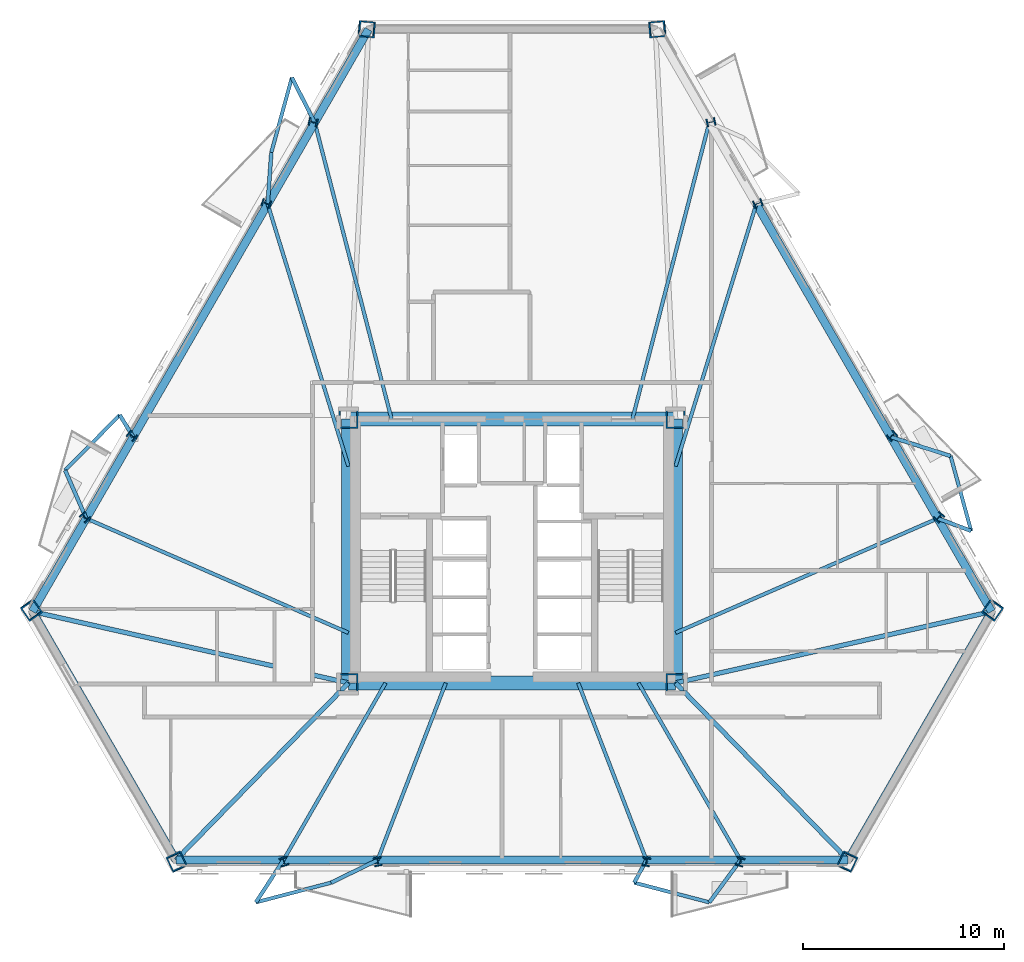
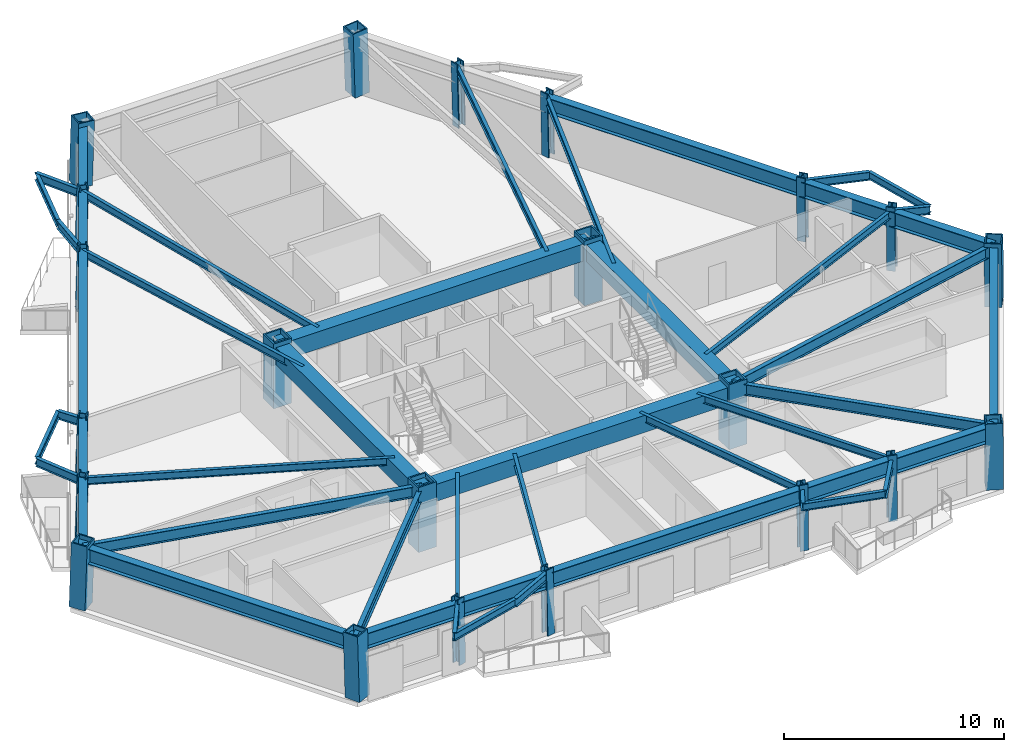
# One storey, part 1 of 10: 48 beams, 22 columns.
"""IFC4 building model written with IfcOpenShell, lengths in metres."""

from ifc_helpers import new_model, si_unit, direction, frame, origin, origin_2d, place, context, subcontext, project, spatial, rectangle, hollow_rectangle, i_section, extrude, material, material_profile, profile_set, type_object, element, save


model = new_model("IFC4")

# Units and contexts
model_context = context("Model", 3, precision=1e-05, world=origin(), true_north=direction((0.0, 1.0)))
body_context = subcontext(model_context, "Body", "Model", "MODEL_VIEW")
ifc_project = project(units=[si_unit("LENGTHUNIT", "METRE"), si_unit("AREAUNIT", "SQUARE_METRE"), si_unit("VOLUMEUNIT", "CUBIC_METRE"), si_unit("PLANEANGLEUNIT", "RADIAN"), si_unit("MASSUNIT", "GRAM", prefix="KILO")], contexts=[model_context])

# Site, building, storey
site_placement = place(None, origin())
site = spatial("IfcSite", under=ifc_project, at=site_placement, CompositionType="ELEMENT")
building_placement = place(site_placement, origin())
building = spatial("IfcBuilding", under=site, at=building_placement, Name="Oramaril Tower", CompositionType="ELEMENT")
storey_placement = place(building_placement, frame((0.0, 0.0, 52.5)))
storey = spatial("IfcBuildingStorey", under=building, at=storey_placement, Name="L13", CompositionType="ELEMENT", Elevation=52.5)

# Columns
ifc_material_1 = material(Name="Steel ASTM A572 Gr 50", Category="steel")
ifc_material_profile_1 = material_profile(ifc_material_1, hollow_rectangle(XDim=0.949951171875, YDim=0.949951171875, WallThickness=0.080078125, at=origin_2d()), Name="BOX950X950X80")
ifc_profile_set_1 = profile_set([ifc_material_profile_1], Name="Steel ASTM A572 Gr 50")
column_type_1 = type_object("IfcColumnType", Name="CT-CC2", PredefinedType="COLUMN", material=ifc_profile_set_1)
for number, where, z_axis, x_axis, name in (
    (1, (29.35009765625, 11.0, 0.0), (0.0, 0.0, 1.0), (1.0, 0.0, 0.0), "L13 Core Column CC-1"),
    (2, (45.64990234375, 11.0, 0.0), (0.0, 0.0, 1.0), (1.0, 0.0, 0.0), "L13 Core Column CC-2"),
    (3, (45.64990234375, 24.14990234375, 0.0), (0.0, 0.0, 1.0), (1.0, 0.0, 0.0), "L13 Core Column CC-3"),
    (4, (29.35009765625, 24.14990234375, 0.0), (0.0, 0.0, 1.0), (1.0, 0.0, 0.0), "L13 Core Column CC-4"),
):
    element("IfcColumn", number, at=place(storey_placement, frame(where, z_axis=z_axis, x_axis=x_axis)), inside=storey, type_object=column_type_1, Name=name, PredefinedType="COLUMN", context=body_context, shape_type="SweptSolid", body=[
        extrude(hollow_rectangle(XDim=0.949951171875, YDim=0.949951171875, WallThickness=0.080078125, at=origin_2d()), origin(), (0.0, 0.0, 1.0), 3.60009765625),
    ])
ifc_material_2 = material(Name="Steel ASTM A572 Gr 50", Category="steel")
ifc_material_profile_2 = material_profile(ifc_material_2, hollow_rectangle(XDim=0.800048828125, YDim=0.800048828125, WallThickness=0.06494140625, at=origin_2d()), Name="BOX800X800X65")
ifc_profile_set_2 = profile_set([ifc_material_profile_2], Name="Steel ASTM A572 Gr 50")
column_type_2 = type_object("IfcColumnType", Name="CT-TC3", PredefinedType="COLUMN", material=ifc_profile_set_2)
for number, where, z_axis, x_axis, name in (
    (5, (13.541748046875, 14.647705078125, 0.00439453125), (0.017328387348, -0.024803377969, 0.999542154906), (0.819759137879, 0.572708438792, 0.0), "L13 Tube Column TC-01"),
    (6, (20.799072265625, 2.07763671875, 0.00439453125), (-0.012775429371, 0.027453582266, 0.999541439474), (-0.906641267755, -0.421902372124, 0.0), "L13 Tube Column TC-02"),
    (7, (54.200927734375, 2.07763671875, 0.00439453125), (0.012775429371, 0.027453582266, 0.999541439474), (-0.906641267755, 0.421902372124, 0.0), "L13 Tube Column TC-03"),
    (8, (61.458251953125, 14.647705078125, 0.00439453125), (-0.017328387348, -0.024803377969, 0.999542154906), (0.819759137879, -0.572708438792, 0.0), "L13 Tube Column TC-04"),
    (9, (44.75732421875, 43.574462890625, 0.00439453125), (-0.030171757334, -0.00258226752, 0.999541393317), (0.085273844541, -0.996357552005, 0.0), "L13 Tube Column TC-05"),
    (10, (30.24267578125, 43.574462890625, 0.00439453125), (0.030171757334, -0.00258226752, 0.999541393317), (0.085273844541, 0.996357552005, 0.0), "L13 Tube Column TC-06"),
):
    element("IfcColumn", number, at=place(storey_placement, frame(where, z_axis=z_axis, x_axis=x_axis)), inside=storey, type_object=column_type_2, Name=name, PredefinedType="COLUMN", context=body_context, shape_type="SweptSolid", body=[
        extrude(hollow_rectangle(XDim=0.800048828125, YDim=0.800048828125, WallThickness=0.06494140625, at=origin_2d()), origin(), (0.0, 0.0, 1.0), 3.5927734375),
    ])
ifc_material_3 = material(Name="Steel ASTM A572 Gr 50", Category="steel")
ifc_material_profile_3 = material_profile(ifc_material_3, i_section(OverallWidth=0.410888671875, OverallDepth=0.43408203125, WebThickness=0.035888671875, FlangeThickness=0.057373046875, at=origin_2d()), Name="W14X311")
ifc_profile_set_3 = profile_set([ifc_material_profile_3], Name="Steel ASTM A572 Gr 50")
column_type_3 = type_object("IfcColumnType", Name="CT-TF2", PredefinedType="COLUMN", material=ifc_profile_set_3)
for number, where, z_axis, x_axis, name in (
    (11, (26.143310546875, 2.07763671875, 0.00439453125), (-0.008698545481, 0.027454784174, 0.999585199036), (-0.95329693993, -0.302034674037, 0.0), "L13 Tube Column TC-07"),
    (12, (30.819580078125, 2.07763671875, 0.00439453125), (-0.005096930621, 0.027455466276, 0.999610033298), (-0.983201216581, -0.182524978326, 0.0), "L13 Tube Column TC-08"),
    (13, (44.180419921875, 2.07763671875, 0.00439453125), (0.005096930621, 0.027455466276, 0.999610033298), (-0.983201216581, 0.182524978326, 0.0), "L13 Tube Column TC-09"),
    (14, (48.856689453125, 2.07763671875, 0.00439453125), (0.008698545481, 0.027454784174, 0.999585199036), (-0.95329693993, 0.302034674037, 0.0), "L13 Tube Column TC-10"),
    (15, (58.7861328125, 19.27587890625, 0.00439453125), (-0.019435833203, -0.021202727131, 0.999586260785), (0.737154140201, -0.675724628517, 0.0), "L13 Tube Column TC-11"),
    (16, (56.447998046875, 23.32568359375, 0.00439453125), (-0.021203241566, -0.018145081724, 0.999610513428), (0.650189539696, -0.759772046386, 0.0), "L13 Tube Column TC-12"),
    (17, (49.767578125, 34.896484375, 0.00439453125), (-0.026300196984, -0.009242446485, 0.999611362891), (0.331544641736, -0.943439531998, 0.0), "L13 Tube Column TC-13"),
    (18, (47.429443359375, 38.9462890625, 0.00439453125), (-0.028066449259, -0.006184132888, 0.99958693015), (0.215177531037, -0.976574948551, 0.0), "L13 Tube Column TC-14"),
    (19, (27.570556640625, 38.9462890625, 0.00439453125), (0.028066449259, -0.006184132888, 0.99958693015), (0.215177531037, 0.976574948551, 0.0), "L13 Tube Column TC-15"),
    (20, (25.232421875, 34.896484375, 0.00439453125), (0.026300196984, -0.009242446485, 0.999611362891), (0.331544641736, 0.943439531998, 0.0), "L13 Tube Column TC-16"),
    (21, (18.552001953125, 23.32568359375, 0.00439453125), (0.021203241566, -0.018145081724, 0.999610513428), (0.650189539696, 0.759772046386, 0.0), "L13 Tube Column TC-17"),
    (22, (16.2138671875, 19.27587890625, 0.00439453125), (0.019435833203, -0.021202727131, 0.999586260785), (0.737154140201, 0.675724628517, 0.0), "L13 Tube Column TC-18"),
):
    element("IfcColumn", number, at=place(storey_placement, frame(where, z_axis=z_axis, x_axis=x_axis)), inside=storey, type_object=column_type_3, Name=name, PredefinedType="COLUMN", context=body_context, shape_type="SweptSolid", body=[
        extrude(i_section(OverallWidth=0.410888671875, OverallDepth=0.43408203125, WebThickness=0.035888671875, FlangeThickness=0.057373046875, at=origin_2d()), origin(), (0.0, 0.0, 1.0), 3.592529296875),
    ])

# Beams
ifc_material_4 = material(Name="Steel ASTM A572 Gr 50", Category="steel")
ifc_material_profile_4 = material_profile(ifc_material_4, i_section(OverallWidth=0.19091796875, OverallDepth=0.45703125, WebThickness=0.009033203125, FlangeThickness=0.014404296875, at=origin_2d()), Name="W18X50")
ifc_profile_set_4 = profile_set([ifc_material_profile_4], Name="Steel ASTM A572 Gr 50")
beam_type_1 = type_object("IfcBeamType", Name="BT-BB1", PredefinedType="BEAM", material=ifc_profile_set_4)
beam_1_placement = place(storey_placement, frame((26.112060546875, 2.17626953125, 3.131591796875), z_axis=(-0.545346560473, -0.838210671001, 0.0), x_axis=(0.838210671001, -0.545346560473, 0.0)))
element("IfcBeam", 23, at=beam_1_placement, inside=storey, type_object=beam_type_1, Name="L13 Balcony Column-Framed Cantilever 01.1", PredefinedType="BEAM", context=body_context, shape_type="SweptSolid", body=[
    extrude(i_section(OverallWidth=0.19091796875, OverallDepth=0.45703125, WebThickness=0.009033203125, FlangeThickness=0.014404296875, at=origin_2d()), origin(), (0.0, 0.0, 1.0), 2.51513671875),
])
beam_2_placement = place(storey_placement, frame((30.80126953125, 2.17626953125, 3.131591796875), z_axis=(-0.899058728358, -0.437828051823, 0.0), x_axis=(0.437828051823, -0.899058728358, 0.0)))
element("IfcBeam", 24, at=beam_2_placement, inside=storey, type_object=beam_type_1, Name="L13 Balcony Column-Framed Cantilever 01.2", PredefinedType="BEAM", context=body_context, shape_type="SweptSolid", body=[
    extrude(i_section(OverallWidth=0.19091796875, OverallDepth=0.45703125, WebThickness=0.009033203125, FlangeThickness=0.014404296875, at=origin_2d()), origin(), (0.0, 0.0, 1.0), 2.57666015625),
])
beam_3_placement = place(storey_placement, frame((44.19873046875, 2.17626953125, 3.131591796875), z_axis=(-0.474508712115, -0.880250806377, 0.0), x_axis=(0.880250806377, -0.474508712115, 0.0)))
element("IfcBeam", 25, at=beam_3_placement, inside=storey, type_object=beam_type_1, Name="L13 Balcony Column-Framed Cantilever 02.1", PredefinedType="BEAM", context=body_context, shape_type="SweptSolid", body=[
    extrude(i_section(OverallWidth=0.19091796875, OverallDepth=0.45703125, WebThickness=0.009033203125, FlangeThickness=0.014404296875, at=origin_2d()), origin(), (0.0, 0.0, 1.0), 1.28173828125),
])
beam_4_placement = place(storey_placement, frame((48.887939453125, 2.17626953125, 3.131591796875), z_axis=(-0.593221299161, -0.805039433955, 0.0), x_axis=(0.805039433955, -0.593221299161, 0.0)))
element("IfcBeam", 26, at=beam_4_placement, inside=storey, type_object=beam_type_1, Name="L13 Balcony Column-Framed Cantilever 02.2", PredefinedType="BEAM", context=body_context, shape_type="SweptSolid", body=[
    extrude(i_section(OverallWidth=0.19091796875, OverallDepth=0.45703125, WebThickness=0.009033203125, FlangeThickness=0.014404296875, at=origin_2d()), origin(), (0.0, 0.0, 1.0), 2.61865234375),
])
beam_5_placement = place(storey_placement, frame((58.71630859375, 19.19970703125, 3.131591796875), z_axis=(0.936244414293, -0.351349394059, 0.0), x_axis=(0.351349394059, 0.936244414293, 0.0)))
element("IfcBeam", 27, at=beam_5_placement, inside=storey, type_object=beam_type_1, Name="L13 Balcony Column-Framed Cantilever 03.1", PredefinedType="BEAM", context=body_context, shape_type="SweptSolid", body=[
    extrude(i_section(OverallWidth=0.19091796875, OverallDepth=0.45703125, WebThickness=0.009033203125, FlangeThickness=0.014404296875, at=origin_2d()), origin(), (0.0, 0.0, 1.0), 1.776123046875),
])
beam_6_placement = place(storey_placement, frame((56.371826171875, 23.260498046875, 3.131591796875), z_axis=(0.952651044841, -0.30406576059, 0.0), x_axis=(0.30406576059, 0.952651044841, 0.0)))
element("IfcBeam", 28, at=beam_6_placement, inside=storey, type_object=beam_type_1, Name="L13 Balcony Column-Framed Cantilever 03.2", PredefinedType="BEAM", context=body_context, shape_type="SweptSolid", body=[
    extrude(i_section(OverallWidth=0.19091796875, OverallDepth=0.45703125, WebThickness=0.009033203125, FlangeThickness=0.014404296875, at=origin_2d()), origin(), (0.0, 0.0, 1.0), 3.132080078125),
])
beam_7_placement = place(storey_placement, frame((27.67138671875, 38.924072265625, 3.131591796875), z_axis=(-0.453144701767, 0.891436974363, 0.0), x_axis=(-0.891436974363, -0.453144701767, 0.0)))
element("IfcBeam", 29, at=beam_7_placement, inside=storey, type_object=beam_type_1, Name="L13 Balcony Column-Framed Cantilever 05.1", PredefinedType="BEAM", context=body_context, shape_type="SweptSolid", body=[
    extrude(i_section(OverallWidth=0.19091796875, OverallDepth=0.45703125, WebThickness=0.009033203125, FlangeThickness=0.014404296875, at=origin_2d()), origin(), (0.0, 0.0, 1.0), 2.514892578125),
])
beam_8_placement = place(storey_placement, frame((25.326904296875, 34.86328125, 3.131591796875), z_axis=(0.070398610601, 0.997518939983, 0.0), x_axis=(-0.997518939983, 0.070398610601, 0.0)))
element("IfcBeam", 30, at=beam_8_placement, inside=storey, type_object=beam_type_1, Name="L13 Balcony Column-Framed Cantilever 05.2", PredefinedType="BEAM", context=body_context, shape_type="SweptSolid", body=[
    extrude(i_section(OverallWidth=0.19091796875, OverallDepth=0.45703125, WebThickness=0.009033203125, FlangeThickness=0.014404296875, at=origin_2d()), origin(), (0.0, 0.0, 1.0), 2.57666015625),
])
beam_9_placement = place(storey_placement, frame((18.628173828125, 23.260498046875, 3.131591796875), z_axis=(-0.524989905381, 0.851108453282, 0.0), x_axis=(-0.851108453282, -0.524989905381, 0.0)))
element("IfcBeam", 31, at=beam_9_placement, inside=storey, type_object=beam_type_1, Name="L13 Balcony Column-Framed Cantilever 06.1", PredefinedType="BEAM", context=body_context, shape_type="SweptSolid", body=[
    extrude(i_section(OverallWidth=0.19091796875, OverallDepth=0.45703125, WebThickness=0.009033203125, FlangeThickness=0.014404296875, at=origin_2d()), origin(), (0.0, 0.0, 1.0), 1.28173828125),
])
beam_10_placement = place(storey_placement, frame((16.28369140625, 19.19970703125, 3.131591796875), z_axis=(-0.400637855404, 0.916236491752, 0.0), x_axis=(-0.916236491752, -0.400637855404, 0.0)))
element("IfcBeam", 32, at=beam_10_placement, inside=storey, type_object=beam_type_1, Name="L13 Balcony Column-Framed Cantilever 06.2", PredefinedType="BEAM", context=body_context, shape_type="SweptSolid", body=[
    extrude(i_section(OverallWidth=0.19091796875, OverallDepth=0.45703125, WebThickness=0.009033203125, FlangeThickness=0.014404296875, at=origin_2d()), origin(), (0.0, 0.0, 1.0), 2.618408203125),
])
ifc_material_5 = material(Name="Concrete C50/60", Category="concrete")
ifc_material_profile_5 = material_profile(ifc_material_5, rectangle(XDim=0.699951171875, YDim=0.949951171875, at=origin_2d()), Name="CB700X950")
ifc_profile_set_5 = profile_set([ifc_material_profile_5], Name="Concrete C50/60")
beam_type_2 = type_object("IfcBeamType", Name="BT-CB1", PredefinedType="BEAM", material=ifc_profile_set_5)
beam_11_placement = place(storey_placement, frame((29.35009765625, 11.0, 2.885009765625), z_axis=(1.0, 0.0, 0.0), x_axis=(0.0, 1.0, 0.0)))
element("IfcBeam", 33, at=beam_11_placement, inside=storey, type_object=beam_type_2, Name="L13 Core Header Beam CB-1", PredefinedType="BEAM", context=body_context, shape_type="SweptSolid", body=[
    extrude(rectangle(XDim=0.699951171875, YDim=0.949951171875, at=origin_2d()), origin(), (0.0, 0.0, 1.0), 16.2998046875),
])
beam_12_placement = place(storey_placement, frame((45.64990234375, 11.0, 2.885009765625), z_axis=(0.0, 1.0, 0.0), x_axis=(-1.0, 0.0, 0.0)))
element("IfcBeam", 34, at=beam_12_placement, inside=storey, type_object=beam_type_2, Name="L13 Core Header Beam CB-2", PredefinedType="BEAM", context=body_context, shape_type="SweptSolid", body=[
    extrude(rectangle(XDim=0.699951171875, YDim=0.949951171875, at=origin_2d()), origin(), (0.0, 0.0, 1.0), 13.14990234375),
])
beam_13_placement = place(storey_placement, frame((45.64990234375, 24.14990234375, 2.885009765625), z_axis=(-1.0, 0.0, 0.0), x_axis=(0.0, -1.0, 0.0)))
element("IfcBeam", 35, at=beam_13_placement, inside=storey, type_object=beam_type_2, Name="L13 Core Header Beam CB-3", PredefinedType="BEAM", context=body_context, shape_type="SweptSolid", body=[
    extrude(rectangle(XDim=0.699951171875, YDim=0.949951171875, at=origin_2d()), origin(), (0.0, 0.0, 1.0), 16.2998046875),
])
beam_14_placement = place(storey_placement, frame((29.35009765625, 24.14990234375, 2.885009765625), z_axis=(0.0, -1.0, 0.0), x_axis=(1.0, 0.0, 0.0)))
element("IfcBeam", 36, at=beam_14_placement, inside=storey, type_object=beam_type_2, Name="L13 Core Header Beam CB-4", PredefinedType="BEAM", context=body_context, shape_type="SweptSolid", body=[
    extrude(rectangle(XDim=0.699951171875, YDim=0.949951171875, at=origin_2d()), origin(), (0.0, 0.0, 1.0), 13.14990234375),
])
ifc_material_6 = material(Name="Steel ASTM A572 Gr 50", Category="steel")
ifc_material_profile_6 = material_profile(ifc_material_6, i_section(OverallWidth=0.22900390625, OverallDepth=0.612060546875, WebThickness=0.011962890625, FlangeThickness=0.01953125, at=origin_2d()), Name="W24X84")
ifc_profile_set_6 = profile_set([ifc_material_profile_6], Name="Steel ASTM A572 Gr 50")
beam_type_3 = type_object("IfcBeamType", Name="BT-FB1", PredefinedType="BEAM", material=ifc_profile_set_6)
beam_15_placement = place(storey_placement, frame((29.35009765625, 11.0, 3.053955078125), z_axis=(-0.975400736495, 0.220439114599, 0.0), x_axis=(-0.220439114599, -0.975400736495, 0.0)))
element("IfcBeam", 37, at=beam_15_placement, inside=storey, type_object=beam_type_3, Name="L13 Radial Primary Beam RB-01", PredefinedType="BEAM", context=body_context, shape_type="SweptSolid", body=[
    extrude(i_section(OverallWidth=0.22900390625, OverallDepth=0.612060546875, WebThickness=0.011962890625, FlangeThickness=0.01953125, at=origin_2d()), origin(), (0.0, 0.0, 1.0), 16.143310546875),
])
for number, where, z_axis, x_axis, name in (
    (38, (29.35009765625, 11.0, 3.053955078125), (-0.697841526773, -0.716252192674, 0.0), (0.716252192674, -0.697841526773, 0.0), "L13 Radial Primary Beam RB-02"),
    (39, (45.64990234375, 11.0, 3.053955078125), (0.697841526773, -0.716252192674, 0.0), (0.716252192674, 0.697841526773, 0.0), "L13 Radial Primary Beam RB-03"),
):
    element("IfcBeam", number, at=place(storey_placement, frame(where, z_axis=z_axis, x_axis=x_axis)), inside=storey, type_object=beam_type_3, Name=name, PredefinedType="BEAM", context=body_context, shape_type="SweptSolid", body=[
        extrude(i_section(OverallWidth=0.22900390625, OverallDepth=0.612060546875, WebThickness=0.011962890625, FlangeThickness=0.01953125, at=origin_2d()), origin(), (0.0, 0.0, 1.0), 12.3193359375),
    ])
beam_16_placement = place(storey_placement, frame((45.64990234375, 11.0, 3.053955078125), z_axis=(0.975400736495, 0.220439114599, 0.0), x_axis=(-0.220439114599, 0.975400736495, 0.0)))
element("IfcBeam", 40, at=beam_16_placement, inside=storey, type_object=beam_type_3, Name="L13 Radial Primary Beam RB-04", PredefinedType="BEAM", context=body_context, shape_type="SweptSolid", body=[
    extrude(i_section(OverallWidth=0.22900390625, OverallDepth=0.612060546875, WebThickness=0.011962890625, FlangeThickness=0.01953125, at=origin_2d()), origin(), (0.0, 0.0, 1.0), 16.143310546875),
])
ifc_material_7 = material(Name="Steel ASTM A572 Gr 50", Category="steel")
ifc_material_profile_7 = material_profile(ifc_material_7, i_section(OverallWidth=0.177978515625, OverallDepth=0.404052734375, WebThickness=0.007568359375, FlangeThickness=0.010986328125, at=origin_2d()), Name="W16X36")
ifc_profile_set_7 = profile_set([ifc_material_profile_7], Name="Steel ASTM A572 Gr 50")
beam_type_4 = type_object("IfcBeamType", Name="BT-SB1", PredefinedType="BEAM", material=ifc_profile_set_7)
beam_17_placement = place(storey_placement, frame((31.199951171875, 11.0, 3.157958984375), z_axis=(-0.499521852836, -0.866301286239, 0.0), x_axis=(0.866301286239, -0.499521852836, 0.0)))
element("IfcBeam", 41, at=beam_17_placement, inside=storey, type_object=beam_type_4, Name="L13 Secondary Floor Beam SB-01", PredefinedType="BEAM", context=body_context, shape_type="SweptSolid", body=[
    extrude(i_section(OverallWidth=0.177978515625, OverallDepth=0.404052734375, WebThickness=0.007568359375, FlangeThickness=0.010986328125, at=origin_2d()), origin(), (0.0, 0.0, 1.0), 10.185546875),
])
for number, where, z_axis, x_axis, name in (
    (42, (34.199951171875, 11.0, 3.157958984375), (-0.359434073091, -0.933170481263, 0.0), (0.933170481263, -0.359434073091, 0.0), "L13 Secondary Floor Beam SB-02"),
    (43, (40.800048828125, 11.0, 3.157958984375), (0.359434073091, -0.933170481263, 0.0), (0.933170481263, 0.359434073091, 0.0), "L13 Secondary Floor Beam SB-03"),
):
    element("IfcBeam", number, at=place(storey_placement, frame(where, z_axis=z_axis, x_axis=x_axis)), inside=storey, type_object=beam_type_4, Name=name, PredefinedType="BEAM", context=body_context, shape_type="SweptSolid", body=[
        extrude(i_section(OverallWidth=0.177978515625, OverallDepth=0.404052734375, WebThickness=0.007568359375, FlangeThickness=0.010986328125, at=origin_2d()), origin(), (0.0, 0.0, 1.0), 9.45556640625),
    ])
beam_18_placement = place(storey_placement, frame((43.800048828125, 11.0, 3.157958984375), z_axis=(0.499521852836, -0.866301286239, 0.0), x_axis=(0.866301286239, 0.499521852836, 0.0)))
element("IfcBeam", 44, at=beam_18_placement, inside=storey, type_object=beam_type_4, Name="L13 Secondary Floor Beam SB-04", PredefinedType="BEAM", context=body_context, shape_type="SweptSolid", body=[
    extrude(i_section(OverallWidth=0.177978515625, OverallDepth=0.404052734375, WebThickness=0.007568359375, FlangeThickness=0.010986328125, at=origin_2d()), origin(), (0.0, 0.0, 1.0), 10.185546875),
])
beam_19_placement = place(storey_placement, frame((45.64990234375, 13.5, 3.157958984375), z_axis=(0.916590734948, 0.399826743238, 0.0), x_axis=(-0.399826743238, 0.916590734948, 0.0)))
element("IfcBeam", 45, at=beam_19_placement, inside=storey, type_object=beam_type_4, Name="L13 Secondary Floor Beam SB-05", PredefinedType="BEAM", context=body_context, shape_type="SweptSolid", body=[
    extrude(i_section(OverallWidth=0.177978515625, OverallDepth=0.404052734375, WebThickness=0.007568359375, FlangeThickness=0.010986328125, at=origin_2d()), origin(), (0.0, 0.0, 1.0), 14.25537109375),
])
beam_20_placement = place(storey_placement, frame((45.64990234375, 21.800048828125, 3.157958984375), z_axis=(0.294335606712, 0.95570212442, 0.0), x_axis=(-0.95570212442, 0.294335606712, 0.0)))
element("IfcBeam", 46, at=beam_20_placement, inside=storey, type_object=beam_type_4, Name="L13 Secondary Floor Beam SB-06", PredefinedType="BEAM", context=body_context, shape_type="SweptSolid", body=[
    extrude(i_section(OverallWidth=0.177978515625, OverallDepth=0.404052734375, WebThickness=0.007568359375, FlangeThickness=0.010986328125, at=origin_2d()), origin(), (0.0, 0.0, 1.0), 13.668701171875),
])
for number, where, z_axis, x_axis, name in (
    (47, (43.5, 24.14990234375, 3.157958984375), (0.250856124341, 0.968024382379, 0.0), (-0.968024382379, 0.250856124341, 0.0), "L13 Secondary Floor Beam SB-07"),
    (48, (31.5, 24.14990234375, 3.157958984375), (-0.250856124341, 0.968024382379, 0.0), (-0.968024382379, -0.250856124341, 0.0), "L13 Secondary Floor Beam SB-08"),
):
    element("IfcBeam", number, at=place(storey_placement, frame(where, z_axis=z_axis, x_axis=x_axis)), inside=storey, type_object=beam_type_4, Name=name, PredefinedType="BEAM", context=body_context, shape_type="SweptSolid", body=[
        extrude(i_section(OverallWidth=0.177978515625, OverallDepth=0.404052734375, WebThickness=0.007568359375, FlangeThickness=0.010986328125, at=origin_2d()), origin(), (0.0, 0.0, 1.0), 15.26220703125),
    ])
beam_21_placement = place(storey_placement, frame((29.35009765625, 21.800048828125, 3.157958984375), z_axis=(-0.294335606712, 0.95570212442, 0.0), x_axis=(-0.95570212442, -0.294335606712, 0.0)))
element("IfcBeam", 49, at=beam_21_placement, inside=storey, type_object=beam_type_4, Name="L13 Secondary Floor Beam SB-09", PredefinedType="BEAM", context=body_context, shape_type="SweptSolid", body=[
    extrude(i_section(OverallWidth=0.177978515625, OverallDepth=0.404052734375, WebThickness=0.007568359375, FlangeThickness=0.010986328125, at=origin_2d()), origin(), (0.0, 0.0, 1.0), 13.668701171875),
])
beam_22_placement = place(storey_placement, frame((29.35009765625, 13.5, 3.157958984375), z_axis=(-0.916590734948, 0.399826743238, 0.0), x_axis=(-0.399826743238, -0.916590734948, 0.0)))
element("IfcBeam", 50, at=beam_22_placement, inside=storey, type_object=beam_type_4, Name="L13 Secondary Floor Beam SB-10", PredefinedType="BEAM", context=body_context, shape_type="SweptSolid", body=[
    extrude(i_section(OverallWidth=0.177978515625, OverallDepth=0.404052734375, WebThickness=0.007568359375, FlangeThickness=0.010986328125, at=origin_2d()), origin(), (0.0, 0.0, 1.0), 14.25537109375),
])
beam_23_placement = place(storey_placement, frame((24.740478515625, 0.068115234375, 3.157958984375), z_axis=(0.967411967632, 0.253207592467, 0.0), x_axis=(-0.253207592467, 0.967411967632, 0.0)))
element("IfcBeam", 51, at=beam_23_placement, inside=storey, type_object=beam_type_4, Name="L13 Balcony Edge Tie Beam 01", PredefinedType="BEAM", context=body_context, shape_type="SweptSolid", body=[
    extrude(i_section(OverallWidth=0.177978515625, OverallDepth=0.404052734375, WebThickness=0.007568359375, FlangeThickness=0.010986328125, at=origin_2d()), origin(), (0.0, 0.0, 1.0), 3.870361328125),
])
for number, where, z_axis, x_axis, name in (
    (52, (43.590576171875, 1.048095703125, 3.157958984375), (0.967407922874, -0.253223045479, 0.0), (0.253223045479, 0.967407922874, 0.0), "L13 Balcony Edge Tie Beam 02"),
    (53, (60.379150390625, 18.57568359375, 3.157958984375), (-0.264440915482, 0.964401888332, 0.0), (-0.964401888332, -0.264440915482, 0.0), "L13 Balcony Edge Tie Beam 03"),
    (54, (26.53173828125, 41.166015625, 3.157958984375), (-0.264440915482, -0.964401888332, 0.0), (0.964401888332, -0.264440915482, 0.0), "L13 Balcony Edge Tie Beam 05"),
    (55, (17.955322265625, 24.351318359375, 3.157958984375), (-0.702994511648, -0.71119527318, 0.0), (0.71119527318, -0.702994511648, 0.0), "L13 Balcony Edge Tie Beam 06"),
):
    element("IfcBeam", number, at=place(storey_placement, frame(where, z_axis=z_axis, x_axis=x_axis)), inside=storey, type_object=beam_type_4, Name=name, PredefinedType="BEAM", context=body_context, shape_type="SweptSolid", body=[
        extrude(i_section(OverallWidth=0.177978515625, OverallDepth=0.404052734375, WebThickness=0.007568359375, FlangeThickness=0.010986328125, at=origin_2d()), origin(), (0.0, 0.0, 1.0), 3.8701171875),
    ])
ifc_material_8 = material(Name="Steel ASTM A572 Gr 50", Category="steel")
ifc_material_profile_8 = material_profile(ifc_material_8, i_section(OverallWidth=0.40087890625, OverallDepth=0.85595703125, WebThickness=0.018310546875, FlangeThickness=0.029296875, at=origin_2d()), Name="W33X201")
ifc_profile_set_8 = profile_set([ifc_material_profile_8], Name="Steel ASTM A572 Gr 50")
beam_type_5 = type_object("IfcBeamType", Name="BT-SP1", PredefinedType="SPANDREL", material=ifc_profile_set_8)
beam_24_placement = place(storey_placement, frame((13.60400390625, 14.55859375, 2.931884765625), z_axis=(0.500012153807, -0.866018386667, 0.0), x_axis=(0.866018386667, 0.500012153807, 0.0)))
element("IfcBeam", 56, at=beam_24_placement, inside=storey, type_object=beam_type_5, Name="L13 Perimeter Spandrel 01", PredefinedType="SPANDREL", context=body_context, shape_type="SweptSolid", body=[
    extrude(i_section(OverallWidth=0.40087890625, OverallDepth=0.85595703125, WebThickness=0.018310546875, FlangeThickness=0.029296875, at=origin_2d()), origin(), (0.0, 0.0, 1.0), 14.298095703125),
])
beam_25_placement = place(storey_placement, frame((20.753173828125, 2.17626953125, 2.931884765625), z_axis=(1.0, 0.0, 0.0), x_axis=(0.0, 1.0, 0.0)))
element("IfcBeam", 57, at=beam_25_placement, inside=storey, type_object=beam_type_5, Name="L13 Perimeter Spandrel 02", PredefinedType="SPANDREL", context=body_context, shape_type="SweptSolid", body=[
    extrude(i_section(OverallWidth=0.40087890625, OverallDepth=0.85595703125, WebThickness=0.018310546875, FlangeThickness=0.029296875, at=origin_2d()), origin(), (0.0, 0.0, 1.0), 5.35888671875),
])
beam_26_placement = place(storey_placement, frame((26.112060546875, 2.17626953125, 2.931884765625), z_axis=(1.0, 0.0, 0.0), x_axis=(0.0, 1.0, 0.0)))
element("IfcBeam", 58, at=beam_26_placement, inside=storey, type_object=beam_type_5, Name="L13 Perimeter Spandrel 03", PredefinedType="SPANDREL", context=body_context, shape_type="SweptSolid", body=[
    extrude(i_section(OverallWidth=0.40087890625, OverallDepth=0.85595703125, WebThickness=0.018310546875, FlangeThickness=0.029296875, at=origin_2d()), origin(), (0.0, 0.0, 1.0), 4.689208984375),
])
beam_27_placement = place(storey_placement, frame((30.80126953125, 2.17626953125, 2.931884765625), z_axis=(1.0, 0.0, 0.0), x_axis=(0.0, 1.0, 0.0)))
element("IfcBeam", 59, at=beam_27_placement, inside=storey, type_object=beam_type_5, Name="L13 Perimeter Spandrel 04", PredefinedType="SPANDREL", context=body_context, shape_type="SweptSolid", body=[
    extrude(i_section(OverallWidth=0.40087890625, OverallDepth=0.85595703125, WebThickness=0.018310546875, FlangeThickness=0.029296875, at=origin_2d()), origin(), (0.0, 0.0, 1.0), 13.3974609375),
])
beam_28_placement = place(storey_placement, frame((44.19873046875, 2.17626953125, 2.931884765625), z_axis=(1.0, 0.0, 0.0), x_axis=(0.0, 1.0, 0.0)))
element("IfcBeam", 60, at=beam_28_placement, inside=storey, type_object=beam_type_5, Name="L13 Perimeter Spandrel 05", PredefinedType="SPANDREL", context=body_context, shape_type="SweptSolid", body=[
    extrude(i_section(OverallWidth=0.40087890625, OverallDepth=0.85595703125, WebThickness=0.018310546875, FlangeThickness=0.029296875, at=origin_2d()), origin(), (0.0, 0.0, 1.0), 4.689208984375),
])
beam_29_placement = place(storey_placement, frame((48.887939453125, 2.17626953125, 2.931884765625), z_axis=(1.0, 0.0, 0.0), x_axis=(0.0, 1.0, 0.0)))
element("IfcBeam", 61, at=beam_29_placement, inside=storey, type_object=beam_type_5, Name="L13 Perimeter Spandrel 06", PredefinedType="SPANDREL", context=body_context, shape_type="SweptSolid", body=[
    extrude(i_section(OverallWidth=0.40087890625, OverallDepth=0.85595703125, WebThickness=0.018310546875, FlangeThickness=0.029296875, at=origin_2d()), origin(), (0.0, 0.0, 1.0), 5.35888671875),
])
beam_30_placement = place(storey_placement, frame((54.246826171875, 2.17626953125, 2.931884765625), z_axis=(0.500012153807, 0.866018386667, 0.0), x_axis=(-0.866018386667, 0.500012153807, 0.0)))
element("IfcBeam", 62, at=beam_30_placement, inside=storey, type_object=beam_type_5, Name="L13 Perimeter Spandrel 07", PredefinedType="SPANDREL", context=body_context, shape_type="SweptSolid", body=[
    extrude(i_section(OverallWidth=0.40087890625, OverallDepth=0.85595703125, WebThickness=0.018310546875, FlangeThickness=0.029296875, at=origin_2d()), origin(), (0.0, 0.0, 1.0), 14.298095703125),
])
beam_31_placement = place(storey_placement, frame((61.39599609375, 14.55859375, 2.931884765625), z_axis=(-0.500019522183, 0.866014132353, 0.0), x_axis=(-0.866014132353, -0.500019522183, 0.0)))
element("IfcBeam", 63, at=beam_31_placement, inside=storey, type_object=beam_type_5, Name="L13 Perimeter Spandrel 08", PredefinedType="SPANDREL", context=body_context, shape_type="SweptSolid", body=[
    extrude(i_section(OverallWidth=0.40087890625, OverallDepth=0.85595703125, WebThickness=0.018310546875, FlangeThickness=0.029296875, at=origin_2d()), origin(), (0.0, 0.0, 1.0), 5.359130859375),
])
beam_32_placement = place(storey_placement, frame((58.71630859375, 19.19970703125, 2.931884765625), z_axis=(-0.49999738257, 0.866026914953, 0.0), x_axis=(-0.866026914953, -0.49999738257, 0.0)))
element("IfcBeam", 64, at=beam_32_placement, inside=storey, type_object=beam_type_5, Name="L13 Perimeter Spandrel 09", PredefinedType="SPANDREL", context=body_context, shape_type="SweptSolid", body=[
    extrude(i_section(OverallWidth=0.40087890625, OverallDepth=0.85595703125, WebThickness=0.018310546875, FlangeThickness=0.029296875, at=origin_2d()), origin(), (0.0, 0.0, 1.0), 4.68896484375),
])
beam_33_placement = place(storey_placement, frame((56.371826171875, 23.260498046875, 2.931884765625), z_axis=(-0.499992188719, 0.866029913583, 0.0), x_axis=(-0.866029913583, -0.499992188719, 0.0)))
element("IfcBeam", 65, at=beam_33_placement, inside=storey, type_object=beam_type_5, Name="L13 Perimeter Spandrel 10", PredefinedType="SPANDREL", context=body_context, shape_type="SweptSolid", body=[
    extrude(i_section(OverallWidth=0.40087890625, OverallDepth=0.85595703125, WebThickness=0.018310546875, FlangeThickness=0.029296875, at=origin_2d()), origin(), (0.0, 0.0, 1.0), 13.397705078125),
])
beam_34_placement = place(storey_placement, frame((30.35107421875, 43.565185546875, 2.931884765625), z_axis=(-0.500019522183, -0.866014132353, 0.0), x_axis=(0.866014132353, -0.500019522183, 0.0)))
element("IfcBeam", 66, at=beam_34_placement, inside=storey, type_object=beam_type_5, Name="L13 Perimeter Spandrel 14", PredefinedType="SPANDREL", context=body_context, shape_type="SweptSolid", body=[
    extrude(i_section(OverallWidth=0.40087890625, OverallDepth=0.85595703125, WebThickness=0.018310546875, FlangeThickness=0.029296875, at=origin_2d()), origin(), (0.0, 0.0, 1.0), 5.359130859375),
])
beam_35_placement = place(storey_placement, frame((27.67138671875, 38.924072265625, 2.931884765625), z_axis=(-0.49999738257, -0.866026914953, 0.0), x_axis=(0.866026914953, -0.49999738257, 0.0)))
element("IfcBeam", 67, at=beam_35_placement, inside=storey, type_object=beam_type_5, Name="L13 Perimeter Spandrel 15", PredefinedType="SPANDREL", context=body_context, shape_type="SweptSolid", body=[
    extrude(i_section(OverallWidth=0.40087890625, OverallDepth=0.85595703125, WebThickness=0.018310546875, FlangeThickness=0.029296875, at=origin_2d()), origin(), (0.0, 0.0, 1.0), 4.68896484375),
])
beam_36_placement = place(storey_placement, frame((25.326904296875, 34.86328125, 2.931884765625), z_axis=(-0.499992188719, -0.866029913583, 0.0), x_axis=(0.866029913583, -0.499992188719, 0.0)))
element("IfcBeam", 68, at=beam_36_placement, inside=storey, type_object=beam_type_5, Name="L13 Perimeter Spandrel 16", PredefinedType="SPANDREL", context=body_context, shape_type="SweptSolid", body=[
    extrude(i_section(OverallWidth=0.40087890625, OverallDepth=0.85595703125, WebThickness=0.018310546875, FlangeThickness=0.029296875, at=origin_2d()), origin(), (0.0, 0.0, 1.0), 13.397705078125),
])
beam_37_placement = place(storey_placement, frame((18.628173828125, 23.260498046875, 2.931884765625), z_axis=(-0.49999738257, -0.866026914953, 0.0), x_axis=(0.866026914953, -0.49999738257, 0.0)))
element("IfcBeam", 69, at=beam_37_placement, inside=storey, type_object=beam_type_5, Name="L13 Perimeter Spandrel 17", PredefinedType="SPANDREL", context=body_context, shape_type="SweptSolid", body=[
    extrude(i_section(OverallWidth=0.40087890625, OverallDepth=0.85595703125, WebThickness=0.018310546875, FlangeThickness=0.029296875, at=origin_2d()), origin(), (0.0, 0.0, 1.0), 4.68896484375),
])
beam_38_placement = place(storey_placement, frame((16.28369140625, 19.19970703125, 2.931884765625), z_axis=(-0.500019522183, -0.866014132353, 0.0), x_axis=(0.866014132353, -0.500019522183, 0.0)))
element("IfcBeam", 70, at=beam_38_placement, inside=storey, type_object=beam_type_5, Name="L13 Perimeter Spandrel 18", PredefinedType="SPANDREL", context=body_context, shape_type="SweptSolid", body=[
    extrude(i_section(OverallWidth=0.40087890625, OverallDepth=0.85595703125, WebThickness=0.018310546875, FlangeThickness=0.029296875, at=origin_2d()), origin(), (0.0, 0.0, 1.0), 5.359130859375),
])

save(model, "model.ifc")
